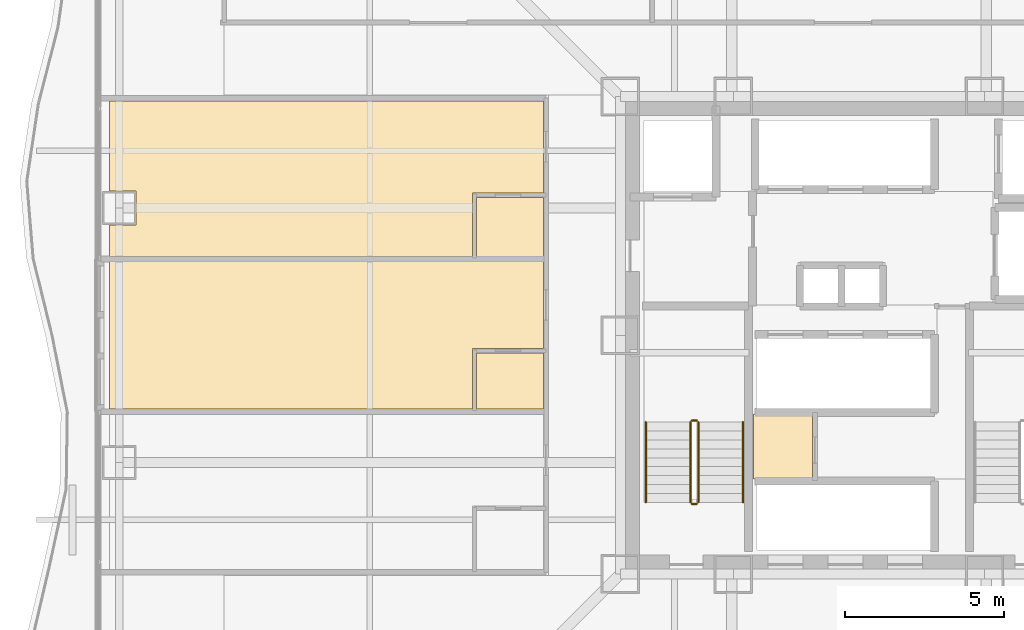
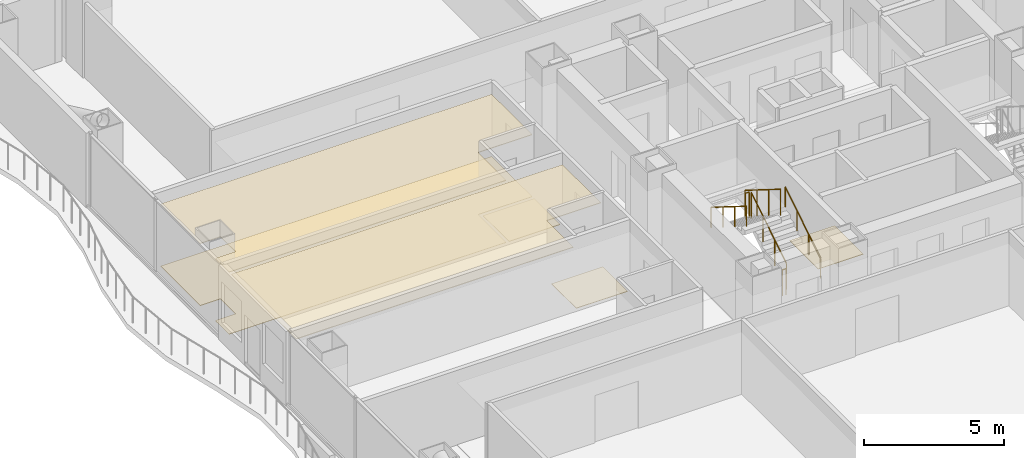
# One storey, part 19 of 24: 6 coverings, 6 railings.
"""IFC4 building model written with IfcOpenShell, lengths in metres."""

from ifc_helpers import new_model, si_unit, direction, frame, origin, origin_2d, place, context, subcontext, project, spatial, polyline, circle, outline, extrude, material, layer, layer_set, type_object, element, save


model = new_model("IFC4")

# Units and contexts
model_context = context("Model", 3, precision=1e-05, world=origin(), true_north=direction((0.0, 1.0)))
body_context = subcontext(model_context, "Body", "Model", "MODEL_VIEW")
ifc_project = project(units=[si_unit("LENGTHUNIT", "METRE"), si_unit("AREAUNIT", "SQUARE_METRE"), si_unit("VOLUMEUNIT", "CUBIC_METRE"), si_unit("PLANEANGLEUNIT", "RADIAN"), si_unit("MASSUNIT", "GRAM", prefix="KILO")], contexts=[model_context])

# Site, building, storey
site_placement = place(None, origin())
site = spatial("IfcSite", under=ifc_project, at=site_placement, CompositionType="ELEMENT")
building_placement = place(site_placement, origin())
building = spatial("IfcBuilding", under=site, at=building_placement, Name="Trevonay Congress Spire", CompositionType="ELEMENT")
storey_placement = place(building_placement, frame((0.0, 0.0, 55.0)))
storey = spatial("IfcBuildingStorey", under=building, at=storey_placement, Name="L13", CompositionType="ELEMENT", Elevation=55.0)

# Coverings
ifc_material_1 = material(Name="Acoustic Mineral Fibre Board", Category="gypsum")
ifc_layer_1 = layer(ifc_material_1, 0.02490234375, Name="Acoustic Mineral Fibre Board")
ifc_layer_set_1 = layer_set([ifc_layer_1], Name="Acoustic Mineral Fibre Board")
covering_type_1 = type_object("IfcCoveringType", Name="COV-CEIL-ACOUSTIC", PredefinedType="CEILING", material=ifc_layer_set_1)
covering_1_placement = place(storey_placement, frame((0.0, 0.0, 2.699951171875)))
element("IfcCovering", 1, at=covering_1_placement, inside=storey, type_object=covering_type_1, Name="L13 Corner Hotel Suite acoustic suspended ceiling", PredefinedType="CEILING", context=body_context, shape_type="SweptSolid", body=[
    extrude(outline(polyline([(-23.550048828125, -2.320068359375), (-23.550048828125, 2.320068359375), (-9.909912109375, 2.320068359375), (-9.909912109375, -0.4169921875), (-12.139892578125, -0.4169921875), (-12.139892578125, -2.320068359375), (-23.550048828125, -2.320068359375)])), origin(), (0.0, 0.0, 1.0), 0.025146484375),
])
covering_2_placement = place(storey_placement, frame((0.0, 0.0, 2.699951171875)))
element("IfcCovering", 2, at=covering_2_placement, inside=storey, type_object=covering_type_1, Name="L13 Corner Hotel Suite acoustic suspended ceiling", PredefinedType="CEILING", context=body_context, shape_type="SweptSolid", body=[
    extrude(outline(polyline([(-23.550048828125, 3.465087890625), (-22.715087890625, 3.465087890625), (-22.715087890625, 4.534912109375), (-23.550048828125, 4.534912109375), (-23.550048828125, 7.3701171875), (-9.909912109375, 7.3701171875), (-9.909912109375, 4.47802734375), (-12.139892578125, 4.47802734375), (-12.139892578125, 2.47998046875), (-23.550048828125, 2.47998046875), (-23.550048828125, 3.465087890625)])), origin(), (0.0, 0.0, 1.0), 0.025146484375),
])
ifc_material_2 = material(Name="Polished Granite Floor Tile", Category="masonry")
ifc_layer_2 = layer(ifc_material_2, 0.02001953125, Name="Polished Granite Floor Tile")
ifc_layer_set_2 = layer_set([ifc_layer_2], Name="Polished Granite Floor Tile")
covering_type_2 = type_object("IfcCoveringType", Name="COV-FLOOR-STONE", PredefinedType="FLOORING", material=ifc_layer_set_2)
covering_3_placement = place(storey_placement, origin())
element("IfcCovering", 3, at=covering_3_placement, inside=storey, type_object=covering_type_2, Name="L13 Fire Hose and Valve Room floor finish", PredefinedType="FLOORING", context=body_context, shape_type="SweptSolid", body=[
    extrude(outline(polyline([(-3.320068359375, -4.52001953125), (-1.4599609375, -4.52001953125), (-1.4599609375, -2.47998046875), (-3.320068359375, -2.47998046875), (-3.320068359375, -4.52001953125)])), origin(), (0.0, 0.0, 1.0), 0.02001953125),
])
covering_4_placement = place(storey_placement, origin())
element("IfcCovering", 4, at=covering_4_placement, inside=storey, type_object=covering_type_2, Name="L13 En-suite Bathroom floor finish", PredefinedType="FLOORING", context=body_context, shape_type="SweptSolid", body=[
    extrude(outline(polyline([(-12.02001953125, -2.320068359375), (-9.909912109375, -2.320068359375), (-9.909912109375, -0.556884765625), (-12.02001953125, -0.556884765625), (-12.02001953125, -2.320068359375)])), origin(), (0.0, 0.0, 1.0), 0.02001953125),
])
covering_5_placement = place(storey_placement, origin())
element("IfcCovering", 5, at=covering_5_placement, inside=storey, type_object=covering_type_2, Name="L13 En-suite Bathroom floor finish", PredefinedType="FLOORING", context=body_context, shape_type="SweptSolid", body=[
    extrude(outline(polyline([(-12.02001953125, 2.47998046875), (-9.909912109375, 2.47998046875), (-9.909912109375, 4.337890625), (-12.02001953125, 4.337890625), (-12.02001953125, 2.47998046875)])), origin(), (0.0, 0.0, 1.0), 0.02001953125),
])
ifc_material_3 = material(Name="Engineered Oak Flooring", Category="wood")
ifc_layer_3 = layer(ifc_material_3, 0.01806640625, Name="Engineered Oak Flooring")
ifc_layer_set_3 = layer_set([ifc_layer_3], Name="Engineered Oak Flooring")
covering_type_3 = type_object("IfcCoveringType", Name="COV-FLOOR-TIMBER", PredefinedType="FLOORING", material=ifc_layer_set_3)
covering_6_placement = place(storey_placement, origin())
element("IfcCovering", 6, at=covering_6_placement, inside=storey, type_object=covering_type_3, Name="L13 Corner Hotel Suite floor finish", PredefinedType="FLOORING", context=body_context, shape_type="SweptSolid", body=[
    extrude(outline(polyline([(-23.550048828125, 3.465087890625), (-22.715087890625, 3.465087890625), (-22.715087890625, 4.534912109375), (-23.550048828125, 4.534912109375), (-23.550048828125, 7.3701171875), (-9.909912109375, 7.3701171875), (-9.909912109375, 4.47802734375), (-12.139892578125, 4.47802734375), (-12.139892578125, 2.47998046875), (-23.550048828125, 2.47998046875), (-23.550048828125, 3.465087890625)])), origin(), (0.0, 0.0, 1.0), 0.01806640625),
])

# Railings
ifc_material_4 = material(Name="Pale Anodised Aluminium EN AW-6063-T6", Category="aluminium")
railing_type_1 = type_object("IfcRailingType", Name="RAL-STAIR-GUARD-110", PredefinedType="GUARDRAIL", material=ifc_material_4)
railing_1_placement = place(storey_placement, frame((-5.050048828125, -5.25, 0.175048828125)))
element("IfcRailing", 7, at=railing_1_placement, inside=storey, type_object=railing_type_1, Name="L13 ST-1 stair guard 1", PredefinedType="GUARDRAIL", context=body_context, shape_type="SweptSolid", body=[
    extrude(circle(Radius=0.02392578125, at=origin_2d()), frame((0.0, 0.0, 1.1259765625), z_axis=(0.0, 0.848007534815, 0.529984170421), x_axis=(-1.0, 0.0, 0.0)), (0.0, 0.0, 1.0), 2.9716796875),
    extrude(circle(Radius=0.02099609375, at=origin_2d()), origin(), (0.0, 0.0, 1.0), 1.101806640625),
    extrude(circle(Radius=0.02099609375, at=origin_2d()), frame((0.0, 0.840087890625, 0.52490234375)), (0.0, 0.0, 1.0), 1.101806640625),
    extrude(circle(Radius=0.02099609375, at=origin_2d()), frame((0.0, 1.679931640625, 1.050048828125)), (0.0, 0.0, 1.0), 1.101806640625),
    extrude(circle(Radius=0.02099609375, at=origin_2d()), frame((0.0, 2.52001953125, 1.574951171875)), (0.0, 0.0, 1.0), 1.101806640625),
])
railing_2_placement = place(storey_placement, frame((-5.10009765625, -2.679931640625, 1.75)))
element("IfcRailing", 8, at=railing_2_placement, inside=storey, type_object=railing_type_1, Name="L13 ST-1 stair guard 2", PredefinedType="GUARDRAIL", context=body_context, shape_type="SweptSolid", body=[
    extrude(circle(Radius=0.02392578125, at=origin_2d()), frame((0.0, 0.0, 1.1259765625), z_axis=(-1.0, 0.0, 0.0), x_axis=(0.0, -1.0, 0.0)), (0.0, 0.0, 1.0), 0.14990234375),
    extrude(circle(Radius=0.02099609375, at=origin_2d()), origin(), (0.0, 0.0, 1.0), 1.101806640625),
    extrude(circle(Radius=0.02099609375, at=origin_2d()), frame((-0.14990234375, 0.0, 0.0)), (0.0, 0.0, 1.0), 1.101806640625),
])
railing_3_placement = place(storey_placement, frame((-5.300048828125, -2.72998046875, 1.925048828125)))
element("IfcRailing", 9, at=railing_3_placement, inside=storey, type_object=railing_type_1, Name="L13 ST-1 stair guard 3", PredefinedType="GUARDRAIL", context=body_context, shape_type="SweptSolid", body=[
    extrude(circle(Radius=0.02392578125, at=origin_2d()), frame((0.0, 0.0, 1.1259765625), z_axis=(0.0, -0.848007534815, 0.529984170421), x_axis=(1.0, 0.0, 0.0)), (0.0, 0.0, 1.0), 2.9716796875),
    extrude(circle(Radius=0.02099609375, at=origin_2d()), origin(), (0.0, 0.0, 1.0), 1.101806640625),
    extrude(circle(Radius=0.02099609375, at=origin_2d()), frame((0.0, -0.840087890625, 0.52490234375)), (0.0, 0.0, 1.0), 1.101806640625),
    extrude(circle(Radius=0.02099609375, at=origin_2d()), frame((0.0, -1.679931640625, 1.050048828125)), (0.0, 0.0, 1.0), 1.101806640625),
    extrude(circle(Radius=0.02099609375, at=origin_2d()), frame((0.0, -2.52001953125, 1.574951171875)), (0.0, 0.0, 1.0), 1.101806640625),
])
railing_4_placement = place(storey_placement, frame((-5.10009765625, -5.300048828125, 0.0)))
element("IfcRailing", 10, at=railing_4_placement, inside=storey, type_object=railing_type_1, Name="L13 ST-1 stair guard 4", PredefinedType="GUARDRAIL", context=body_context, shape_type="SweptSolid", body=[
    extrude(circle(Radius=0.02392578125, at=origin_2d()), frame((0.0, 0.0, 1.1259765625), z_axis=(-1.0, 0.0, 0.0), x_axis=(0.0, -1.0, 0.0)), (0.0, 0.0, 1.0), 0.14990234375),
    extrude(circle(Radius=0.02099609375, at=origin_2d()), origin(), (0.0, 0.0, 1.0), 1.101806640625),
    extrude(circle(Radius=0.02099609375, at=origin_2d()), frame((-0.14990234375, 0.0, 0.0)), (0.0, 0.0, 1.0), 1.101806640625),
])
railing_type_2 = type_object("IfcRailingType", Name="RAL-STAIR-HANDRAIL", PredefinedType="HANDRAIL", material=ifc_material_4)
railing_5_placement = place(storey_placement, frame((-3.64990234375, -5.25, 0.175048828125)))
element("IfcRailing", 11, at=railing_5_placement, inside=storey, type_object=railing_type_2, Name="L13 ST-1 stair handrail 1", PredefinedType="HANDRAIL", context=body_context, shape_type="SweptSolid", body=[
    extrude(circle(Radius=0.02392578125, at=origin_2d()), frame((0.0, 0.0, 0.8759765625), z_axis=(0.0, 0.848007534815, 0.529984170421), x_axis=(-1.0, 0.0, 0.0)), (0.0, 0.0, 1.0), 2.9716796875),
    extrude(circle(Radius=0.02099609375, at=origin_2d()), origin(), (0.0, 0.0, 1.0), 0.851806640625),
    extrude(circle(Radius=0.02099609375, at=origin_2d()), frame((0.0, 0.840087890625, 0.52490234375)), (0.0, 0.0, 1.0), 0.851806640625),
    extrude(circle(Radius=0.02099609375, at=origin_2d()), frame((0.0, 1.679931640625, 1.050048828125)), (0.0, 0.0, 1.0), 0.851806640625),
    extrude(circle(Radius=0.02099609375, at=origin_2d()), frame((0.0, 2.52001953125, 1.574951171875)), (0.0, 0.0, 1.0), 0.851806640625),
])
railing_6_placement = place(storey_placement, frame((-6.699951171875, -2.72998046875, 1.925048828125)))
element("IfcRailing", 12, at=railing_6_placement, inside=storey, type_object=railing_type_2, Name="L13 ST-1 stair handrail 2", PredefinedType="HANDRAIL", context=body_context, shape_type="SweptSolid", body=[
    extrude(circle(Radius=0.02392578125, at=origin_2d()), frame((0.0, 0.0, 0.8759765625), z_axis=(0.0, -0.848007534815, 0.529984170421), x_axis=(1.0, 0.0, 0.0)), (0.0, 0.0, 1.0), 2.9716796875),
    extrude(circle(Radius=0.02099609375, at=origin_2d()), origin(), (0.0, 0.0, 1.0), 0.851806640625),
    extrude(circle(Radius=0.02099609375, at=origin_2d()), frame((0.0, -0.840087890625, 0.52490234375)), (0.0, 0.0, 1.0), 0.851806640625),
    extrude(circle(Radius=0.02099609375, at=origin_2d()), frame((0.0, -1.679931640625, 1.050048828125)), (0.0, 0.0, 1.0), 0.851806640625),
    extrude(circle(Radius=0.02099609375, at=origin_2d()), frame((0.0, -2.52001953125, 1.574951171875)), (0.0, 0.0, 1.0), 0.851806640625),
])

save(model, "model.ifc")
